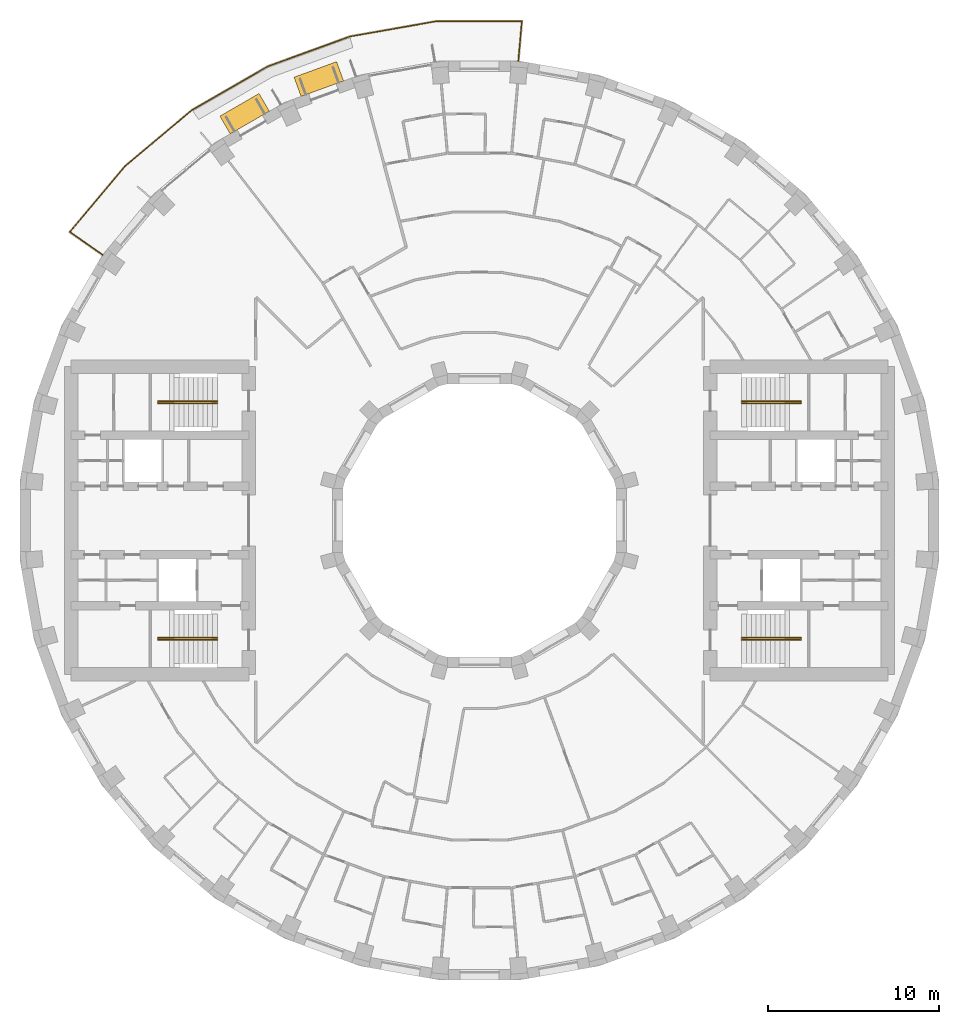
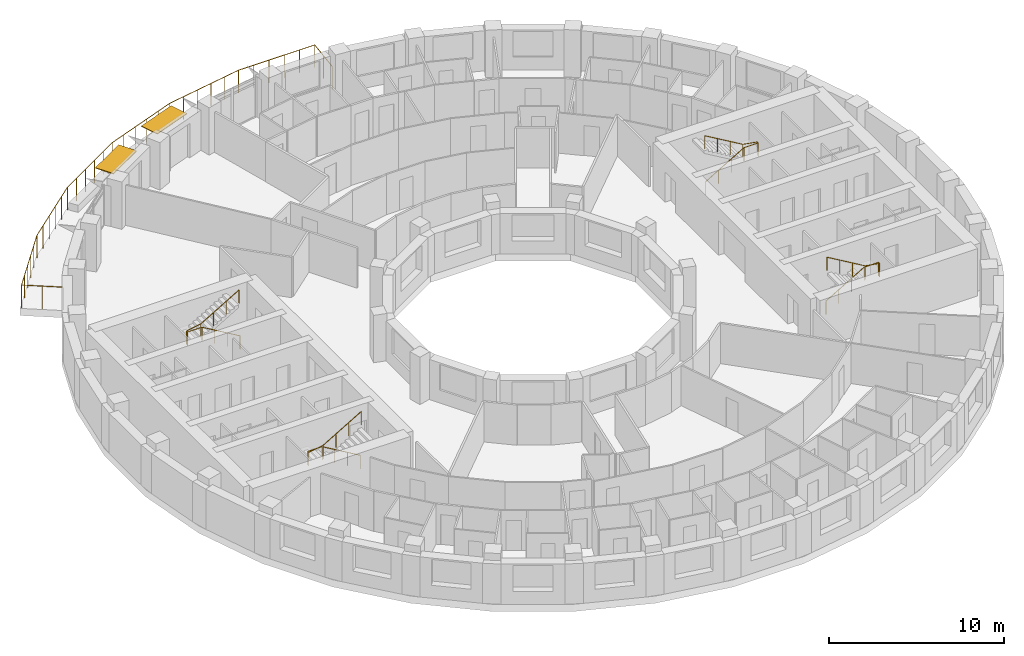
# One storey, part 14 of 14: 5 railings, 2 shading devices.
"""IFC4 building model written with IfcOpenShell, lengths in metres."""

from ifc_helpers import new_model, si_unit, direction, frame, origin, origin_2d, place, context, subcontext, project, spatial, rectangle, circle, extrude, material, layer, layer_set, type_object, element, save


model = new_model("IFC4")

# Units and contexts
model_context = context("Model", 3, precision=1e-05, world=origin(), true_north=direction((0.0, 1.0)))
body_context = subcontext(model_context, "Body", "Model", "MODEL_VIEW")
ifc_project = project(units=[si_unit("LENGTHUNIT", "METRE"), si_unit("AREAUNIT", "SQUARE_METRE"), si_unit("VOLUMEUNIT", "CUBIC_METRE"), si_unit("PLANEANGLEUNIT", "RADIAN"), si_unit("MASSUNIT", "GRAM", prefix="KILO")], contexts=[model_context])

# Site, building, storey
site_placement = place(None, origin())
site = spatial("IfcSite", under=ifc_project, at=site_placement, CompositionType="ELEMENT")
building_placement = place(site_placement, origin())
building = spatial("IfcBuilding", under=site, at=building_placement, Name="Saqina Gate Tower", CompositionType="ELEMENT")
storey_placement = place(building_placement, frame((0.0, 0.0, 95.199951171875)))
storey = spatial("IfcBuildingStorey", under=building, at=storey_placement, Name="L26", CompositionType="ELEMENT", Elevation=95.199951171875)

# Shading devices
ifc_material_1 = material(Name="Aluminium and fabric awning", Category="aluminium")
ifc_layer = layer(ifc_material_1, 0.050048828125)
ifc_layer_set = layer_set([ifc_layer], Name="AW-TERRACE")
shading_device_type = type_object("IfcShadingDeviceType", Name="AW-TERRACE", PredefinedType="AWNING", material=ifc_layer_set)
for number, where, z_axis, x_axis, name in (
    (1, (-9.404541015625, 25.839111328125, 2.52490234375), (0.0, 0.0, 1.0), (-0.939692620786, -0.342020143326, 0.0), "Terrace awning L26 facet 11"),
    (2, (-13.74853515625, 23.813232421875, 2.52490234375), (0.0, 0.0, 1.0), (-0.866025403784, -0.5, 0.0), "Terrace awning L26 facet 12"),
):
    element("IfcShadingDevice", number, at=place(storey_placement, frame(where, z_axis=z_axis, x_axis=x_axis)), inside=storey, type_object=shading_device_type, Name=name, PredefinedType="AWNING", context=body_context, shape_type="SweptSolid", body=[
        extrude(rectangle(XDim=2.647705078125, YDim=1.199951171875, at=origin_2d()), origin(), (0.0, 0.0, 1.0), 0.050048828125),
    ])

# Railings
ifc_material_2 = material(Name="Stainless steel", Category="steel")
railing_type_1 = type_object("IfcRailingType", Name="RL-TERRACE", PredefinedType="GUARDRAIL", material=ifc_material_2)
railing_1_placement = place(storey_placement, frame((2.268310546875, 26.844482421875, 0.0)))
element("IfcRailing", 3, at=railing_1_placement, inside=storey, type_object=railing_type_1, Name="Terrace guard L26", PredefinedType="GUARDRAIL", context=body_context, shape_type="SweptSolid", body=[
    extrude(circle(Radius=0.02392578125, at=origin_2d()), frame((0.0, 0.0, 1.576171875), z_axis=(0.087180896688, 0.996192497087, 0.0), x_axis=(-0.996192497087, 0.087180896688, 0.0)), (0.0, 0.0, 1.0), 2.388671875),
    extrude(circle(Radius=0.02392578125, at=origin_2d()), frame((0.208251953125, 2.379638671875, 1.576171875), z_axis=(-0.999999077512, -0.001358298931, 0.0), x_axis=(0.001358298931, -0.999999077512, 0.0)), (0.0, 0.0, 1.0), 5.03271484375),
    extrude(circle(Radius=0.02392578125, at=origin_2d()), frame((-4.824462890625, 2.372802734375, 1.576171875), z_axis=(-0.984809508757, -0.173638220049, 0.0), x_axis=(0.173638220049, -0.984809508757, 0.0)), (0.0, 0.0, 1.0), 5.1123046875),
    extrude(circle(Radius=0.02392578125, at=origin_2d()), frame((-9.859130859375, 1.485107421875, 1.576171875), z_axis=(-0.939695786518, -0.342011445423, 0.0), x_axis=(0.342011445423, -0.939695786518, 0.0)), (0.0, 0.0, 1.0), 5.112548828125),
    extrude(circle(Radius=0.02392578125, at=origin_2d()), frame((-14.663330078125, -0.263427734375, 1.576171875), z_axis=(-0.866018575041, -0.500011827544, 0.0), x_axis=(0.500011827544, -0.866018575041, 0.0)), (0.0, 0.0, 1.0), 5.1123046875),
    extrude(circle(Radius=0.02392578125, at=origin_2d()), frame((-19.090576171875, -2.819580078125, 1.576171875), z_axis=(-0.766020862158, -0.642815711334, 0.0), x_axis=(0.642815711334, -0.766020862158, 0.0)), (0.0, 0.0, 1.0), 5.112548828125),
    extrude(circle(Radius=0.02392578125, at=origin_2d()), frame((-23.0068359375, -6.10595703125, 1.576171875), z_axis=(-0.643889225098, -0.765118726606, 0.0), x_axis=(0.765118726606, -0.643889225098, 0.0)), (0.0, 0.0, 1.0), 5.03271484375),
    extrude(circle(Radius=0.02392578125, at=origin_2d()), frame((-26.247314453125, -9.95654296875, 1.576171875), z_axis=(0.819111872113, -0.573633803889, 0.0), x_axis=(0.573633803889, 0.819111872113, 0.0)), (0.0, 0.0, 1.0), 2.388916015625),
    extrude(circle(Radius=0.02099609375, at=origin_2d()), origin(), (0.0, 0.0, 1.0), 1.552001953125),
    extrude(circle(Radius=0.02099609375, at=origin_2d()), frame((0.10400390625, 1.18994140625, 0.0)), (0.0, 0.0, 1.0), 1.552001953125),
    extrude(circle(Radius=0.02099609375, at=origin_2d()), frame((0.208251953125, 2.379638671875, 0.0)), (0.0, 0.0, 1.0), 1.552001953125),
    extrude(circle(Radius=0.02099609375, at=origin_2d()), frame((-0.79833984375, 2.378173828125, 0.0)), (0.0, 0.0, 1.0), 1.552001953125),
    extrude(circle(Radius=0.02099609375, at=origin_2d()), frame((-1.804931640625, 2.376953125, 0.0)), (0.0, 0.0, 1.0), 1.552001953125),
    extrude(circle(Radius=0.02099609375, at=origin_2d()), frame((-2.811279296875, 2.37548828125, 0.0)), (0.0, 0.0, 1.0), 1.552001953125),
    extrude(circle(Radius=0.02099609375, at=origin_2d()), frame((-3.81787109375, 2.374267578125, 0.0)), (0.0, 0.0, 1.0), 1.552001953125),
    extrude(circle(Radius=0.02099609375, at=origin_2d()), frame((-4.824462890625, 2.372802734375, 0.0)), (0.0, 0.0, 1.0), 1.552001953125),
    extrude(circle(Radius=0.02099609375, at=origin_2d()), frame((-5.831298828125, 2.1953125, 0.0)), (0.0, 0.0, 1.0), 1.552001953125),
    extrude(circle(Radius=0.02099609375, at=origin_2d()), frame((-6.83837890625, 2.017822265625, 0.0)), (0.0, 0.0, 1.0), 1.552001953125),
    extrude(circle(Radius=0.02099609375, at=origin_2d()), frame((-7.84521484375, 1.840087890625, 0.0)), (0.0, 0.0, 1.0), 1.552001953125),
    extrude(circle(Radius=0.02099609375, at=origin_2d()), frame((-8.852294921875, 1.66259765625, 0.0)), (0.0, 0.0, 1.0), 1.552001953125),
    extrude(circle(Radius=0.02099609375, at=origin_2d()), frame((-9.859130859375, 1.485107421875, 0.0)), (0.0, 0.0, 1.0), 1.552001953125),
    extrude(circle(Radius=0.02099609375, at=origin_2d()), frame((-10.820068359375, 1.135498046875, 0.0)), (0.0, 0.0, 1.0), 1.552001953125),
    extrude(circle(Radius=0.02099609375, at=origin_2d()), frame((-11.78076171875, 0.78564453125, 0.0)), (0.0, 0.0, 1.0), 1.552001953125),
    extrude(circle(Radius=0.02099609375, at=origin_2d()), frame((-12.74169921875, 0.43603515625, 0.0)), (0.0, 0.0, 1.0), 1.552001953125),
    extrude(circle(Radius=0.02099609375, at=origin_2d()), frame((-13.702392578125, 0.086181640625, 0.0)), (0.0, 0.0, 1.0), 1.552001953125),
    extrude(circle(Radius=0.02099609375, at=origin_2d()), frame((-14.663330078125, -0.263427734375, 0.0)), (0.0, 0.0, 1.0), 1.552001953125),
    extrude(circle(Radius=0.02099609375, at=origin_2d()), frame((-15.548828125, -0.774658203125, 0.0)), (0.0, 0.0, 1.0), 1.552001953125),
    extrude(circle(Radius=0.02099609375, at=origin_2d()), frame((-16.434326171875, -1.285888671875, 0.0)), (0.0, 0.0, 1.0), 1.552001953125),
    extrude(circle(Radius=0.02099609375, at=origin_2d()), frame((-17.319580078125, -1.797119140625, 0.0)), (0.0, 0.0, 1.0), 1.552001953125),
    extrude(circle(Radius=0.02099609375, at=origin_2d()), frame((-18.205078125, -2.308349609375, 0.0)), (0.0, 0.0, 1.0), 1.552001953125),
    extrude(circle(Radius=0.02099609375, at=origin_2d()), frame((-19.090576171875, -2.819580078125, 0.0)), (0.0, 0.0, 1.0), 1.552001953125),
    extrude(circle(Radius=0.02099609375, at=origin_2d()), frame((-19.873779296875, -3.476806640625, 0.0)), (0.0, 0.0, 1.0), 1.552001953125),
    extrude(circle(Radius=0.02099609375, at=origin_2d()), frame((-20.656982421875, -4.134033203125, 0.0)), (0.0, 0.0, 1.0), 1.552001953125),
    extrude(circle(Radius=0.02099609375, at=origin_2d()), frame((-21.4404296875, -4.79150390625, 0.0)), (0.0, 0.0, 1.0), 1.552001953125),
    extrude(circle(Radius=0.02099609375, at=origin_2d()), frame((-22.2236328125, -5.44873046875, 0.0)), (0.0, 0.0, 1.0), 1.552001953125),
    extrude(circle(Radius=0.02099609375, at=origin_2d()), frame((-23.0068359375, -6.10595703125, 0.0)), (0.0, 0.0, 1.0), 1.552001953125),
    extrude(circle(Radius=0.02099609375, at=origin_2d()), frame((-23.655029296875, -6.8759765625, 0.0)), (0.0, 0.0, 1.0), 1.552001953125),
    extrude(circle(Radius=0.02099609375, at=origin_2d()), frame((-24.302978515625, -7.646240234375, 0.0)), (0.0, 0.0, 1.0), 1.552001953125),
    extrude(circle(Radius=0.02099609375, at=origin_2d()), frame((-24.951171875, -8.416259765625, 0.0)), (0.0, 0.0, 1.0), 1.552001953125),
    extrude(circle(Radius=0.02099609375, at=origin_2d()), frame((-25.59912109375, -9.1865234375, 0.0)), (0.0, 0.0, 1.0), 1.552001953125),
    extrude(circle(Radius=0.02099609375, at=origin_2d()), frame((-26.247314453125, -9.95654296875, 0.0)), (0.0, 0.0, 1.0), 1.552001953125),
    extrude(circle(Radius=0.02099609375, at=origin_2d()), frame((-25.26904296875, -10.6416015625, 0.0)), (0.0, 0.0, 1.0), 1.552001953125),
    extrude(circle(Radius=0.02099609375, at=origin_2d()), frame((-24.29052734375, -11.326904296875, 0.0)), (0.0, 0.0, 1.0), 1.552001953125),
])
ifc_material_3 = material(Name="Stainless steel", Category="steel")
railing_type_2 = type_object("IfcRailingType", Name="STAIR HANDRAIL", PredefinedType="HANDRAIL", material=ifc_material_3)
railing_2_placement = place(storey_placement, frame((15.35009765625, 6.86669921875, 0.1650390625)))
element("IfcRailing", 4, at=railing_2_placement, inside=storey, type_object=railing_type_2, Name="EXIT STAIR 1 HANDRAIL", PredefinedType="HANDRAIL", context=body_context, shape_type="SweptSolid", body=[
    extrude(circle(Radius=0.02392578125, at=origin_2d()), frame((0.0, 0.0, 0.92578125), z_axis=(0.86152411907, 0.0, 0.507716645641), x_axis=(0.0, 1.0, 0.0)), (0.0, 0.0, 1.0), 2.925048828125),
    extrude(circle(Radius=0.02392578125, at=origin_2d()), frame((2.52001953125, 0.0, 2.4111328125), z_axis=(1.0, 0.0, 0.0), x_axis=(0.0, 1.0, 0.0)), (0.0, 0.0, 1.0), 0.949951171875),
    extrude(circle(Radius=0.02392578125, at=origin_2d()), frame((3.469970703125, 0.0, 2.4111328125), z_axis=(0.0, 1.0, 0.0), x_axis=(-1.0, 0.0, 0.0)), (0.0, 0.0, 1.0), 0.11669921875),
    extrude(circle(Radius=0.02392578125, at=origin_2d()), frame((3.469970703125, 0.11669921875, 2.4111328125), z_axis=(-0.985284148366, 0.0, 0.170924389655), x_axis=(0.0, -1.0, 0.0)), (0.0, 0.0, 1.0), 0.964111328125),
    extrude(circle(Radius=0.02392578125, at=origin_2d()), frame((2.52001953125, 0.11669921875, 2.57568359375), z_axis=(-0.86152411907, 0.0, 0.507716645641), x_axis=(0.0, -1.0, 0.0)), (0.0, 0.0, 1.0), 2.925048828125),
    extrude(circle(Radius=0.02099609375, at=origin_2d()), origin(), (0.0, 0.0, 1.0), 0.90185546875),
    extrude(circle(Radius=0.02099609375, at=origin_2d()), frame((0.840087890625, 0.0, 0.4951171875)), (0.0, 0.0, 1.0), 0.90185546875),
    extrude(circle(Radius=0.02099609375, at=origin_2d()), frame((1.679931640625, 0.0, 0.989990234375)), (0.0, 0.0, 1.0), 0.90185546875),
    extrude(circle(Radius=0.02099609375, at=origin_2d()), frame((2.52001953125, 0.0, 1.485107421875)), (0.0, 0.0, 1.0), 0.90185546875),
    extrude(circle(Radius=0.02099609375, at=origin_2d()), frame((3.469970703125, 0.0, 1.485107421875)), (0.0, 0.0, 1.0), 0.90185546875),
    extrude(circle(Radius=0.02099609375, at=origin_2d()), frame((3.469970703125, 0.11669921875, 1.485107421875)), (0.0, 0.0, 1.0), 0.90185546875),
    extrude(circle(Radius=0.02099609375, at=origin_2d()), frame((2.52001953125, 0.11669921875, 1.64990234375)), (0.0, 0.0, 1.0), 0.90185546875),
    extrude(circle(Radius=0.02099609375, at=origin_2d()), frame((1.679931640625, 0.11669921875, 2.14501953125)), (0.0, 0.0, 1.0), 0.90185546875),
    extrude(circle(Radius=0.02099609375, at=origin_2d()), frame((0.840087890625, 0.11669921875, 2.639892578125)), (0.0, 0.0, 1.0), 0.90185546875),
    extrude(circle(Radius=0.02099609375, at=origin_2d()), frame((0.0, 0.11669921875, 3.135009765625)), (0.0, 0.0, 1.0), 0.90185546875),
])
railing_3_placement = place(storey_placement, frame((15.35009765625, -6.86669921875, 0.1650390625)))
element("IfcRailing", 5, at=railing_3_placement, inside=storey, type_object=railing_type_2, Name="EXIT STAIR 2 HANDRAIL", PredefinedType="HANDRAIL", context=body_context, shape_type="SweptSolid", body=[
    extrude(circle(Radius=0.02392578125, at=origin_2d()), frame((0.0, 0.0, 0.92578125), z_axis=(0.86152411907, 0.0, 0.507716645641), x_axis=(0.0, 1.0, 0.0)), (0.0, 0.0, 1.0), 2.925048828125),
    extrude(circle(Radius=0.02392578125, at=origin_2d()), frame((2.52001953125, 0.0, 2.4111328125), z_axis=(1.0, 0.0, 0.0), x_axis=(0.0, 1.0, 0.0)), (0.0, 0.0, 1.0), 0.949951171875),
    extrude(circle(Radius=0.02392578125, at=origin_2d()), frame((3.469970703125, 0.0, 2.4111328125), z_axis=(0.0, -1.0, 0.0), x_axis=(1.0, 0.0, 0.0)), (0.0, 0.0, 1.0), 0.11669921875),
    extrude(circle(Radius=0.02392578125, at=origin_2d()), frame((3.469970703125, -0.11669921875, 2.4111328125), z_axis=(-0.985284148366, 0.0, 0.170924389655), x_axis=(0.0, -1.0, 0.0)), (0.0, 0.0, 1.0), 0.964111328125),
    extrude(circle(Radius=0.02392578125, at=origin_2d()), frame((2.52001953125, -0.11669921875, 2.57568359375), z_axis=(-0.86152411907, 0.0, 0.507716645641), x_axis=(0.0, -1.0, 0.0)), (0.0, 0.0, 1.0), 2.925048828125),
    extrude(circle(Radius=0.02099609375, at=origin_2d()), origin(), (0.0, 0.0, 1.0), 0.90185546875),
    extrude(circle(Radius=0.02099609375, at=origin_2d()), frame((0.840087890625, 0.0, 0.4951171875)), (0.0, 0.0, 1.0), 0.90185546875),
    extrude(circle(Radius=0.02099609375, at=origin_2d()), frame((1.679931640625, 0.0, 0.989990234375)), (0.0, 0.0, 1.0), 0.90185546875),
    extrude(circle(Radius=0.02099609375, at=origin_2d()), frame((2.52001953125, 0.0, 1.485107421875)), (0.0, 0.0, 1.0), 0.90185546875),
    extrude(circle(Radius=0.02099609375, at=origin_2d()), frame((3.469970703125, 0.0, 1.485107421875)), (0.0, 0.0, 1.0), 0.90185546875),
    extrude(circle(Radius=0.02099609375, at=origin_2d()), frame((3.469970703125, -0.11669921875, 1.485107421875)), (0.0, 0.0, 1.0), 0.90185546875),
    extrude(circle(Radius=0.02099609375, at=origin_2d()), frame((2.52001953125, -0.11669921875, 1.64990234375)), (0.0, 0.0, 1.0), 0.90185546875),
    extrude(circle(Radius=0.02099609375, at=origin_2d()), frame((1.679931640625, -0.11669921875, 2.14501953125)), (0.0, 0.0, 1.0), 0.90185546875),
    extrude(circle(Radius=0.02099609375, at=origin_2d()), frame((0.840087890625, -0.11669921875, 2.639892578125)), (0.0, 0.0, 1.0), 0.90185546875),
    extrude(circle(Radius=0.02099609375, at=origin_2d()), frame((0.0, -0.11669921875, 3.135009765625)), (0.0, 0.0, 1.0), 0.90185546875),
])
railing_4_placement = place(storey_placement, frame((-15.35009765625, 6.86669921875, 0.1650390625)))
element("IfcRailing", 6, at=railing_4_placement, inside=storey, type_object=railing_type_2, Name="EXIT STAIR 3 HANDRAIL", PredefinedType="HANDRAIL", context=body_context, shape_type="SweptSolid", body=[
    extrude(circle(Radius=0.02392578125, at=origin_2d()), frame((0.0, 0.0, 0.92578125), z_axis=(-0.86152411907, 0.0, 0.507716645641), x_axis=(0.0, -1.0, 0.0)), (0.0, 0.0, 1.0), 2.925048828125),
    extrude(circle(Radius=0.02392578125, at=origin_2d()), frame((-2.52001953125, 0.0, 2.4111328125), z_axis=(-1.0, 0.0, 0.0), x_axis=(0.0, -1.0, 0.0)), (0.0, 0.0, 1.0), 0.949951171875),
    extrude(circle(Radius=0.02392578125, at=origin_2d()), frame((-3.469970703125, 0.0, 2.4111328125), z_axis=(0.0, 1.0, 0.0), x_axis=(-1.0, 0.0, 0.0)), (0.0, 0.0, 1.0), 0.11669921875),
    extrude(circle(Radius=0.02392578125, at=origin_2d()), frame((-3.469970703125, 0.11669921875, 2.4111328125), z_axis=(0.985284148366, 0.0, 0.170924389655), x_axis=(0.0, 1.0, 0.0)), (0.0, 0.0, 1.0), 0.964111328125),
    extrude(circle(Radius=0.02392578125, at=origin_2d()), frame((-2.52001953125, 0.11669921875, 2.57568359375), z_axis=(0.86152411907, 0.0, 0.507716645641), x_axis=(0.0, 1.0, 0.0)), (0.0, 0.0, 1.0), 2.925048828125),
    extrude(circle(Radius=0.02099609375, at=origin_2d()), origin(), (0.0, 0.0, 1.0), 0.90185546875),
    extrude(circle(Radius=0.02099609375, at=origin_2d()), frame((-0.840087890625, 0.0, 0.4951171875)), (0.0, 0.0, 1.0), 0.90185546875),
    extrude(circle(Radius=0.02099609375, at=origin_2d()), frame((-1.679931640625, 0.0, 0.989990234375)), (0.0, 0.0, 1.0), 0.90185546875),
    extrude(circle(Radius=0.02099609375, at=origin_2d()), frame((-2.52001953125, 0.0, 1.485107421875)), (0.0, 0.0, 1.0), 0.90185546875),
    extrude(circle(Radius=0.02099609375, at=origin_2d()), frame((-3.469970703125, 0.0, 1.485107421875)), (0.0, 0.0, 1.0), 0.90185546875),
    extrude(circle(Radius=0.02099609375, at=origin_2d()), frame((-3.469970703125, 0.11669921875, 1.485107421875)), (0.0, 0.0, 1.0), 0.90185546875),
    extrude(circle(Radius=0.02099609375, at=origin_2d()), frame((-2.52001953125, 0.11669921875, 1.64990234375)), (0.0, 0.0, 1.0), 0.90185546875),
    extrude(circle(Radius=0.02099609375, at=origin_2d()), frame((-1.679931640625, 0.11669921875, 2.14501953125)), (0.0, 0.0, 1.0), 0.90185546875),
    extrude(circle(Radius=0.02099609375, at=origin_2d()), frame((-0.840087890625, 0.11669921875, 2.639892578125)), (0.0, 0.0, 1.0), 0.90185546875),
    extrude(circle(Radius=0.02099609375, at=origin_2d()), frame((0.0, 0.11669921875, 3.135009765625)), (0.0, 0.0, 1.0), 0.90185546875),
])
railing_5_placement = place(storey_placement, frame((-15.35009765625, -6.86669921875, 0.1650390625)))
element("IfcRailing", 7, at=railing_5_placement, inside=storey, type_object=railing_type_2, Name="EXIT STAIR 4 HANDRAIL", PredefinedType="HANDRAIL", context=body_context, shape_type="SweptSolid", body=[
    extrude(circle(Radius=0.02392578125, at=origin_2d()), frame((0.0, 0.0, 0.92578125), z_axis=(-0.86152411907, 0.0, 0.507716645641), x_axis=(0.0, -1.0, 0.0)), (0.0, 0.0, 1.0), 2.925048828125),
    extrude(circle(Radius=0.02392578125, at=origin_2d()), frame((-2.52001953125, 0.0, 2.4111328125), z_axis=(-1.0, 0.0, 0.0), x_axis=(0.0, -1.0, 0.0)), (0.0, 0.0, 1.0), 0.949951171875),
    extrude(circle(Radius=0.02392578125, at=origin_2d()), frame((-3.469970703125, 0.0, 2.4111328125), z_axis=(0.0, -1.0, 0.0), x_axis=(1.0, 0.0, 0.0)), (0.0, 0.0, 1.0), 0.11669921875),
    extrude(circle(Radius=0.02392578125, at=origin_2d()), frame((-3.469970703125, -0.11669921875, 2.4111328125), z_axis=(0.985284148366, 0.0, 0.170924389655), x_axis=(0.0, 1.0, 0.0)), (0.0, 0.0, 1.0), 0.964111328125),
    extrude(circle(Radius=0.02392578125, at=origin_2d()), frame((-2.52001953125, -0.11669921875, 2.57568359375), z_axis=(0.86152411907, 0.0, 0.507716645641), x_axis=(0.0, 1.0, 0.0)), (0.0, 0.0, 1.0), 2.925048828125),
    extrude(circle(Radius=0.02099609375, at=origin_2d()), origin(), (0.0, 0.0, 1.0), 0.90185546875),
    extrude(circle(Radius=0.02099609375, at=origin_2d()), frame((-0.840087890625, 0.0, 0.4951171875)), (0.0, 0.0, 1.0), 0.90185546875),
    extrude(circle(Radius=0.02099609375, at=origin_2d()), frame((-1.679931640625, 0.0, 0.989990234375)), (0.0, 0.0, 1.0), 0.90185546875),
    extrude(circle(Radius=0.02099609375, at=origin_2d()), frame((-2.52001953125, 0.0, 1.485107421875)), (0.0, 0.0, 1.0), 0.90185546875),
    extrude(circle(Radius=0.02099609375, at=origin_2d()), frame((-3.469970703125, 0.0, 1.485107421875)), (0.0, 0.0, 1.0), 0.90185546875),
    extrude(circle(Radius=0.02099609375, at=origin_2d()), frame((-3.469970703125, -0.11669921875, 1.485107421875)), (0.0, 0.0, 1.0), 0.90185546875),
    extrude(circle(Radius=0.02099609375, at=origin_2d()), frame((-2.52001953125, -0.11669921875, 1.64990234375)), (0.0, 0.0, 1.0), 0.90185546875),
    extrude(circle(Radius=0.02099609375, at=origin_2d()), frame((-1.679931640625, -0.11669921875, 2.14501953125)), (0.0, 0.0, 1.0), 0.90185546875),
    extrude(circle(Radius=0.02099609375, at=origin_2d()), frame((-0.840087890625, -0.11669921875, 2.639892578125)), (0.0, 0.0, 1.0), 0.90185546875),
    extrude(circle(Radius=0.02099609375, at=origin_2d()), frame((0.0, -0.11669921875, 3.135009765625)), (0.0, 0.0, 1.0), 0.90185546875),
])

save(model, "model.ifc")
